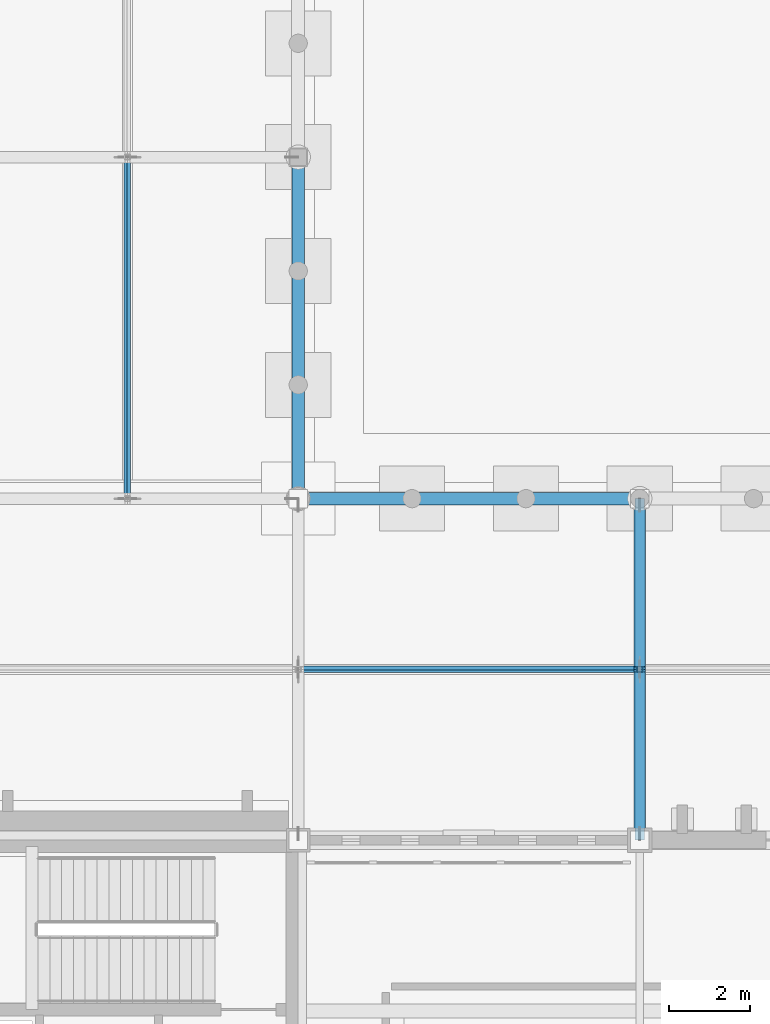
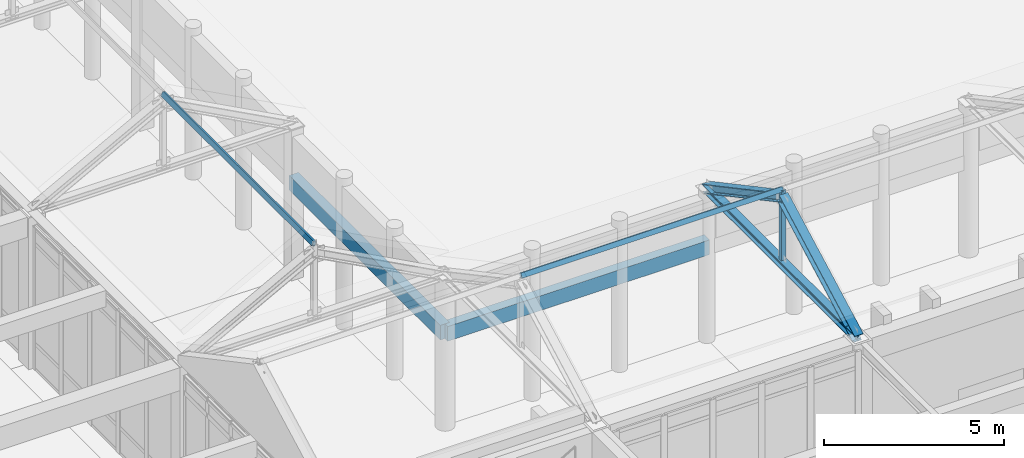
# One storey, part 40 of 143: 6 members, 2 beams.
"""IFC4 building model written with IfcOpenShell, lengths in metres."""

from ifc_helpers import new_model, si_unit, direction, frame, origin, origin_2d, place, context, subcontext, project, spatial, rectangle, hollow_rectangle, i_section, extrude, material, material_profile, profile_set, type_object, element, save


model = new_model("IFC4")

# Units and contexts
model_context = context("Model", 3, precision=1e-05, world=origin(), true_north=direction((0.0, 1.0)))
body_context = subcontext(model_context, "Body", "Model", "MODEL_VIEW")
ifc_project = project(units=[si_unit("LENGTHUNIT", "METRE"), si_unit("AREAUNIT", "SQUARE_METRE"), si_unit("VOLUMEUNIT", "CUBIC_METRE"), si_unit("PLANEANGLEUNIT", "RADIAN"), si_unit("MASSUNIT", "GRAM", prefix="KILO")], contexts=[model_context])

# Site, building, storey
site_placement = place(None, origin())
site = spatial("IfcSite", under=ifc_project, at=site_placement, CompositionType="ELEMENT")
building_placement = place(site_placement, origin())
building = spatial("IfcBuilding", under=site, at=building_placement, Name="Kveldsbrygga Polytechnic", CompositionType="ELEMENT")
storey_placement = place(building_placement, origin())
storey = spatial("IfcBuildingStorey", under=building, at=storey_placement, Name="L00", CompositionType="ELEMENT", Elevation=0.0)

# Beams
ifc_material_1 = material(Name="Concrete C35/45", Category="concrete")
ifc_material_profile_1 = material_profile(ifc_material_1, rectangle(XDim=0.300048828125, YDim=0.5, at=origin_2d()), Name="RC 300x500")
ifc_profile_set_1 = profile_set([ifc_material_profile_1], Name="Concrete C35/45")
beam_type = type_object("IfcBeamType", Name="LNT-RC-300x500", PredefinedType="LINTEL", material=ifc_profile_set_1)
for number, where, z_axis, x_axis, name in (
    (1, (84.0, 33.60009765625, 3.199951171875), (1.0, 0.0, 0.0), (0.0, 1.0, 0.0), "Cloister Arcade Arch Lintel Beam BM-ARC-HDR-08"),
    (2, (84.0, 33.60009765625, 3.199951171875), (0.0, 1.0, 0.0), (-1.0, 0.0, 0.0), "Cloister Arcade Arch Lintel Beam BM-ARC-HDR-16"),
):
    element("IfcBeam", number, at=place(storey_placement, frame(where, z_axis=z_axis, x_axis=x_axis)), inside=storey, type_object=beam_type, Name=name, PredefinedType="LINTEL", context=body_context, shape_type="SweptSolid", body=[
        extrude(rectangle(XDim=0.300048828125, YDim=0.5, at=origin_2d()), origin(), (0.0, 0.0, 1.0), 8.39990234375),
    ])

# Members
ifc_material_2 = material(Name="Steel S355", Category="steel")
ifc_material_profile_2 = material_profile(ifc_material_2, hollow_rectangle(XDim=0.10009765625, YDim=0.14990234375, WallThickness=0.008056640625, at=origin_2d()), Name="RHS 150x100x8.0")
ifc_profile_set_2 = profile_set([ifc_material_profile_2], Name="Steel S355")
member_type_1 = type_object("IfcMemberType", Name="PRL-RHS150", PredefinedType="PURLIN", material=ifc_profile_set_2)
for number, where, z_axis, x_axis, name in (
    (3, (84.0, 29.39990234375, 7.6337890625), (1.0, 0.0, 0.0), (0.0, 0.881479888517, -0.472221564671), "Roof Purlin ARC-ES-PRL-2-1"),
    (4, (79.800048828125, 33.60009765625, 7.6337890625), (0.0, 1.0, 0.0), (-0.881479888517, 0.0, 0.472221564671), "Roof Purlin ARC-EW-PRL-1-1"),
):
    element("IfcMember", number, at=place(storey_placement, frame(where, z_axis=z_axis, x_axis=x_axis)), inside=storey, type_object=member_type_1, Name=name, PredefinedType="PURLIN", context=body_context, shape_type="SweptSolid", body=[
        extrude(hollow_rectangle(XDim=0.10009765625, YDim=0.14990234375, WallThickness=0.008056640625, at=origin_2d()), origin(), (0.0, 0.0, 1.0), 8.39990234375),
    ])
ifc_material_profile_3 = material_profile(ifc_material_2, i_section(OverallWidth=0.239990234375, OverallDepth=0.239990234375, WebThickness=0.010009765625, FlangeThickness=0.01708984375, FilletRadius=0.02099609375, at=origin_2d()), Name="HEB 240")
ifc_profile_set_3 = profile_set([ifc_material_profile_3], Name="Steel S355")
member_type_2 = type_object("IfcMemberType", Name="TR-BOT-HEB240", PredefinedType="CHORD", material=ifc_profile_set_3)
member_1_placement = place(storey_placement, frame((92.39990234375, 25.199951171875, 5.139892578125), z_axis=(0.0, 1.0, 0.0), x_axis=(-1.0, 0.0, 0.0)))
element("IfcMember", 5, at=member_1_placement, inside=storey, type_object=member_type_2, Name="Truss Bottom Chord ARC-ES-T03-BC-1", PredefinedType="CHORD", context=body_context, shape_type="SweptSolid", body=[
    extrude(i_section(OverallWidth=0.239990234375, OverallDepth=0.239990234375, WebThickness=0.010009765625, FlangeThickness=0.01708984375, FilletRadius=0.02099609375, at=origin_2d()), origin(), (0.0, 0.0, 1.0), 8.400146484375),
])
ifc_material_profile_4 = material_profile(ifc_material_2, hollow_rectangle(XDim=0.139892578125, YDim=0.139892578125, WallThickness=0.008056640625, at=origin_2d()), Name="SHS 140x140x8.0")
ifc_profile_set_4 = profile_set([ifc_material_profile_4], Name="Steel S355")
member_type_3 = type_object("IfcMemberType", Name="TR-POST-SHS140", PredefinedType="STRUT", material=ifc_profile_set_4)
member_2_placement = place(storey_placement, frame((92.39990234375, 29.39990234375, 5.139892578125), z_axis=(0.0, 0.0, 1.0), x_axis=(1.0, 0.0, 0.0)))
element("IfcMember", 6, at=member_2_placement, inside=storey, type_object=member_type_3, Name="Truss Vertical ARC-ES-T03-VT-1", PredefinedType="STRUT", context=body_context, shape_type="SweptSolid", body=[
    extrude(hollow_rectangle(XDim=0.139892578125, YDim=0.139892578125, WallThickness=0.008056640625, at=origin_2d()), origin(), (0.0, 0.0, 1.0), 2.493896484375),
])
ifc_material_profile_5 = material_profile(ifc_material_2, i_section(OverallWidth=0.280029296875, OverallDepth=0.280029296875, WebThickness=0.010498046875, FlangeThickness=0.01806640625, FilletRadius=0.02392578125, at=origin_2d()), Name="HEB 280")
ifc_profile_set_5 = profile_set([ifc_material_profile_5], Name="Steel S355")
member_type_4 = type_object("IfcMemberType", Name="TR-TOP-HEB280", PredefinedType="CHORD", material=ifc_profile_set_5)
member_3_placement = place(storey_placement, frame((92.39990234375, 25.199951171875, 5.139892578125), z_axis=(0.0, 0.881477684796, 0.472225678258), x_axis=(-1.0, 0.0, 0.0)))
element("IfcMember", 7, at=member_3_placement, inside=storey, type_object=member_type_4, Name="Truss Top Chord ARC-ES-T03-TC-1", PredefinedType="CHORD", context=body_context, shape_type="SweptSolid", body=[
    extrude(i_section(OverallWidth=0.280029296875, OverallDepth=0.280029296875, WebThickness=0.010498046875, FlangeThickness=0.01806640625, FilletRadius=0.02392578125, at=origin_2d()), origin(), (0.0, 0.0, 1.0), 4.7646484375),
])
member_4_placement = place(storey_placement, frame((92.39990234375, 29.39990234375, 7.389892578125), z_axis=(0.0, 0.881489110341, -0.472204350203), x_axis=(-1.0, 0.0, 0.0)))
element("IfcMember", 8, at=member_4_placement, inside=storey, type_object=member_type_4, Name="Truss Top Chord ARC-ES-T03-TC-2", PredefinedType="CHORD", context=body_context, shape_type="SweptSolid", body=[
    extrude(i_section(OverallWidth=0.280029296875, OverallDepth=0.280029296875, WebThickness=0.010498046875, FlangeThickness=0.01806640625, FilletRadius=0.02392578125, at=origin_2d()), origin(), (0.0, 0.0, 1.0), 4.764892578125),
])

save(model, "model.ifc")
